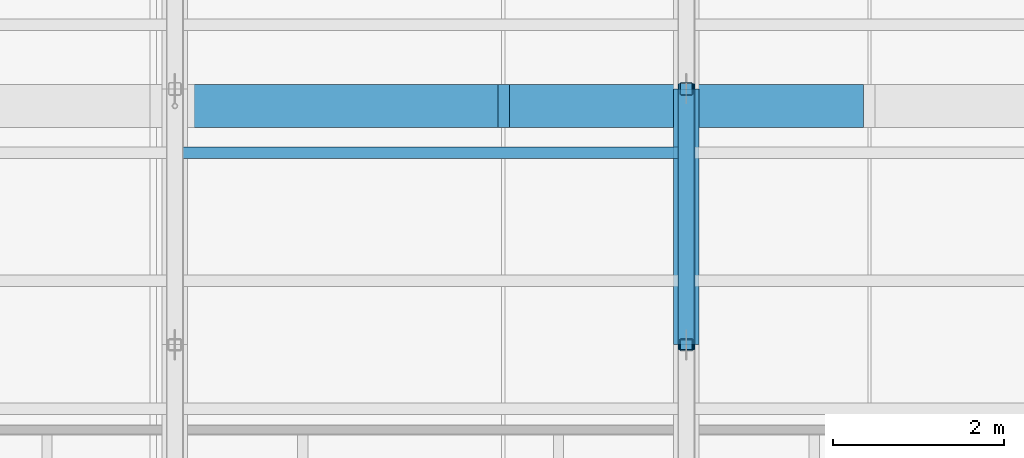
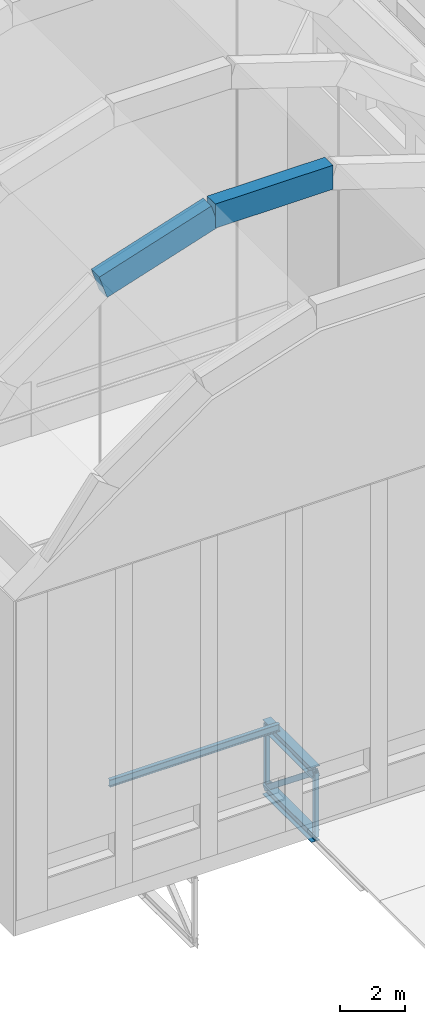
# One storey, part 8 of 55: 5 members, 3 beams.
"""IFC4 building model written with IfcOpenShell, lengths in metres."""

from ifc_helpers import new_model, si_unit, direction, frame, origin, origin_2d, place, context, subcontext, project, spatial, rectangle, hollow_rectangle, i_section, extrude, material, material_profile, profile_set, type_object, element, save


model = new_model("IFC4")

# Units and contexts
model_context = context("Model", 3, precision=1e-05, world=origin(), true_north=direction((0.0, 1.0)))
body_context = subcontext(model_context, "Body", "Model", "MODEL_VIEW")
ifc_project = project(units=[si_unit("LENGTHUNIT", "METRE"), si_unit("AREAUNIT", "SQUARE_METRE"), si_unit("VOLUMEUNIT", "CUBIC_METRE"), si_unit("PLANEANGLEUNIT", "RADIAN"), si_unit("MASSUNIT", "GRAM", prefix="KILO")], contexts=[model_context])

# Site, building, storey
site_placement = place(None, origin())
site = spatial("IfcSite", under=ifc_project, at=site_placement, CompositionType="ELEMENT")
building_placement = place(site_placement, origin())
building = spatial("IfcBuilding", under=site, at=building_placement, Name="Lunette Opera House", CompositionType="ELEMENT")
storey_placement = place(building_placement, frame((0.0, 0.0, 34.0)))
storey = spatial("IfcBuildingStorey", under=building, at=storey_placement, Name="L06", CompositionType="ELEMENT", Elevation=34.0)

# Beams
ifc_material_1 = material(Name="Concrete C40/50", Category="concrete")
ifc_material_profile_1 = material_profile(ifc_material_1, rectangle(XDim=0.5, YDim=0.89990234375, at=origin_2d()), Name="ARCH BEAM 500X900")
ifc_profile_set_1 = profile_set([ifc_material_profile_1], Name="Concrete C40/50")
beam_type_1 = type_object("IfcBeamType", Name="ARCH BEAM 500X900", PredefinedType="BEAM", material=ifc_profile_set_1)
beam_1_placement = place(storey_placement, frame((89.968994140625, 101.800048828125, 17.98193359375), z_axis=(0.952116578893, 0.0, 0.305735212556), x_axis=(0.0, 1.0, 0.0)))
element("IfcBeam", 1, at=beam_1_placement, inside=storey, type_object=beam_type_1, Name="beam-ST-L06-EAT2-3", PredefinedType="BEAM", context=body_context, shape_type="SweptSolid", body=[
    extrude(rectangle(XDim=0.5, YDim=0.89990234375, at=origin_2d()), origin(), (0.0, 0.0, 1.0), 4.154052734375),
])
beam_2_placement = place(storey_placement, frame((93.924072265625, 101.800048828125, 19.251953125), z_axis=(1.0, 0.0, 0.0), x_axis=(0.0, 1.0, 0.0)))
element("IfcBeam", 2, at=beam_2_placement, inside=storey, type_object=beam_type_1, Name="beam-ST-L06-EAT2-4", PredefinedType="BEAM", context=body_context, shape_type="SweptSolid", body=[
    extrude(rectangle(XDim=0.5, YDim=0.89990234375, at=origin_2d()), origin(), (0.0, 0.0, 1.0), 4.15185546875),
])

# Members
ifc_material_2 = material(Name="Steel S355", Category="steel")
ifc_material_profile_2 = material_profile(ifc_material_2, i_section(OverallWidth=0.300048828125, OverallDepth=0.389892578125, WebThickness=0.010986328125, FlangeThickness=0.01904296875, FilletRadius=0.027099609375, at=origin_2d()), Name="HEA 400")
ifc_profile_set_2 = profile_set([ifc_material_profile_2], Name="Steel S355")
member_type_1 = type_object("IfcMemberType", Name="CHORD HEA 400", PredefinedType="CHORD", material=ifc_profile_set_2)
for number, where, z_axis, x_axis, name in (
    (3, (96.0, 99.0, -0.6650390625), (0.0, 1.0, 0.0), (-1.0, 0.0, 0.0), "mem-ST-L06-ST-TR02-TC2"),
    (4, (96.0, 99.0, -3.06494140625), (0.0, 1.0, 0.0), (-1.0, 0.0, 0.0), "mem-ST-L06-ST-TR02-BC2"),
):
    element("IfcMember", number, at=place(storey_placement, frame(where, z_axis=z_axis, x_axis=x_axis)), inside=storey, type_object=member_type_1, Name=name, PredefinedType="CHORD", context=body_context, shape_type="SweptSolid", body=[
        extrude(i_section(OverallWidth=0.300048828125, OverallDepth=0.389892578125, WebThickness=0.010986328125, FlangeThickness=0.01904296875, FilletRadius=0.027099609375, at=origin_2d()), origin(), (0.0, 0.0, 1.0), 3.0),
    ])
ifc_material_3 = material(Name="Steel S355", Category="steel")
ifc_material_profile_3 = material_profile(ifc_material_3, hollow_rectangle(XDim=0.199951171875, YDim=0.199951171875, WallThickness=0.008056640625, InnerFilletRadius=0.008056640625, OuterFilletRadius=0.01611328125, at=origin_2d()), Name="RHS 200X200X8")
ifc_profile_set_3 = profile_set([ifc_material_profile_3], Name="Steel S355")
member_type_2 = type_object("IfcMemberType", Name="DIAGONAL RHS 200X200X8", PredefinedType="BRACE", material=ifc_profile_set_3)
member_placement = place(storey_placement, frame((96.0, 99.0, -0.6650390625), z_axis=(0.0, 0.780881208953, -0.624679547852), x_axis=(-1.0, 0.0, 0.0)))
element("IfcMember", 5, at=member_placement, inside=storey, type_object=member_type_2, Name="mem-ST-L06-ST-TR02-TD2", PredefinedType="BRACE", context=body_context, shape_type="SweptSolid", body=[
    extrude(hollow_rectangle(XDim=0.199951171875, YDim=0.199951171875, WallThickness=0.008056640625, InnerFilletRadius=0.008056640625, OuterFilletRadius=0.01611328125, at=origin_2d()), origin(), (0.0, 0.0, 1.0), 3.841796875),
])

# Beam
ifc_material_4 = material(Name="Steel S355", Category="steel")
ifc_material_profile_4 = material_profile(ifc_material_4, i_section(OverallWidth=0.135009765625, OverallDepth=0.27001953125, WebThickness=0.006591796875, FlangeThickness=0.01025390625, FilletRadius=0.014892578125, at=origin_2d()), Name="IPE 270")
ifc_profile_set_4 = profile_set([ifc_material_profile_4], Name="Steel S355")
beam_type_2 = type_object("IfcBeamType", Name="STEEL BEAM IPE 270", PredefinedType="BEAM", material=ifc_profile_set_4)
beam_3_placement = place(storey_placement, frame((90.0, 101.25, -0.3349609375), z_axis=(1.0, 0.0, 0.0), x_axis=(0.0, 1.0, 0.0)))
element("IfcBeam", 6, at=beam_3_placement, inside=storey, type_object=beam_type_2, Name="beam-ST-L06-GRID-10125-2", PredefinedType="BEAM", context=body_context, shape_type="SweptSolid", body=[
    extrude(i_section(OverallWidth=0.135009765625, OverallDepth=0.27001953125, WebThickness=0.006591796875, FlangeThickness=0.01025390625, FilletRadius=0.014892578125, at=origin_2d()), origin(), (0.0, 0.0, 1.0), 6.0),
])

# Members
ifc_material_5 = material(Name="Steel S355", Category="steel")
ifc_material_profile_5 = material_profile(ifc_material_5, hollow_rectangle(XDim=0.14990234375, YDim=0.14990234375, WallThickness=0.008056640625, InnerFilletRadius=0.008056640625, OuterFilletRadius=0.01611328125, at=origin_2d()), Name="RHS 150X150X8")
ifc_profile_set_5 = profile_set([ifc_material_profile_5], Name="Steel S355")
member_type_3 = type_object("IfcMemberType", Name="VERTICAL RHS 150X150X8", PredefinedType="POST", material=ifc_profile_set_5)
for number, where, z_axis, x_axis, name in (
    (7, (96.0, 99.0, -3.06494140625), (0.0, 0.0, 1.0), (1.0, 0.0, 0.0), "mem-ST-L06-ST-TR02-TV2"),
    (8, (96.0, 102.0, -3.06494140625), (0.0, 0.0, 1.0), (1.0, 0.0, 0.0), "mem-ST-L06-ST-TR02-TV3"),
):
    element("IfcMember", number, at=place(storey_placement, frame(where, z_axis=z_axis, x_axis=x_axis)), inside=storey, type_object=member_type_3, Name=name, PredefinedType="POST", context=body_context, shape_type="SweptSolid", body=[
        extrude(hollow_rectangle(XDim=0.14990234375, YDim=0.14990234375, WallThickness=0.008056640625, InnerFilletRadius=0.008056640625, OuterFilletRadius=0.01611328125, at=origin_2d()), origin(), (0.0, 0.0, 1.0), 2.39990234375),
    ])

save(model, "model.ifc")
